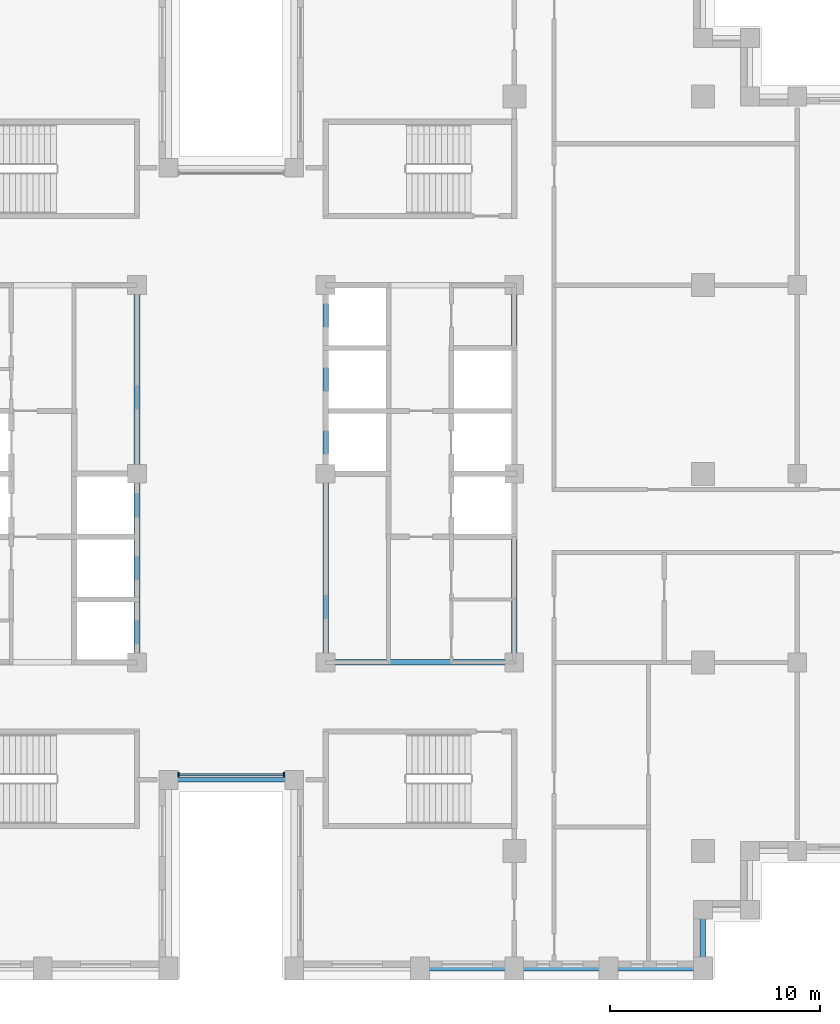
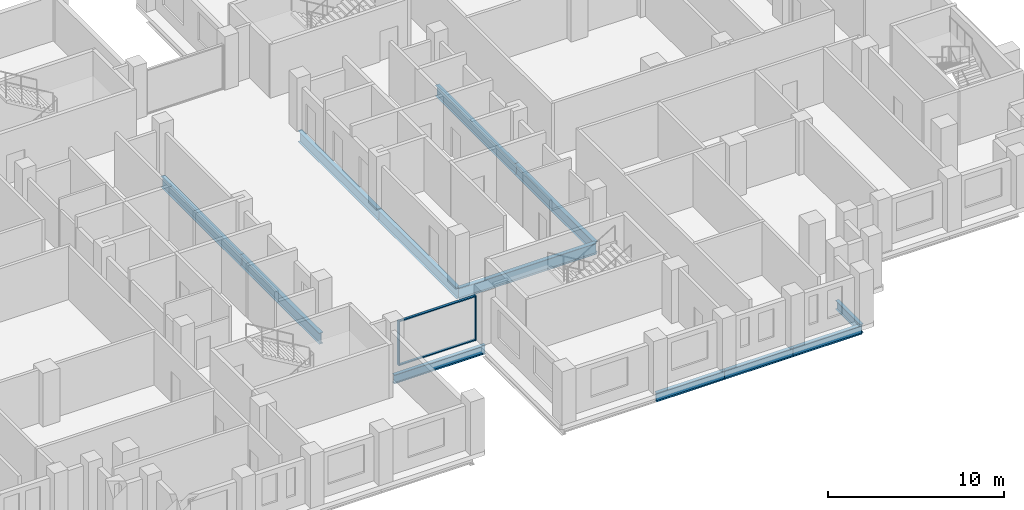
# One storey, part 2 of 15: 12 beams, 4 members, 1 element without a shape of its own.
"""IFC4 building model written with IfcOpenShell, lengths in metres."""

from ifc_helpers import new_model, si_unit, direction, frame, origin, origin_2d, place, context, subcontext, project, spatial, rectangle, i_section, extrude, material, layer, layer_set, material_profile, profile_set, type_object, element, aggregate, save


model = new_model("IFC4")

# Units and contexts
model_context = context("Model", 3, precision=1e-05, world=origin(), true_north=direction((0.0, 1.0)))
body_context = subcontext(model_context, "Body", "Model", "MODEL_VIEW")
ifc_project = project(units=[si_unit("LENGTHUNIT", "METRE"), si_unit("AREAUNIT", "SQUARE_METRE"), si_unit("VOLUMEUNIT", "CUBIC_METRE"), si_unit("PLANEANGLEUNIT", "RADIAN"), si_unit("MASSUNIT", "GRAM", prefix="KILO")], contexts=[model_context])

# Site, building, storey
site_placement = place(None, origin())
site = spatial("IfcSite", under=ifc_project, at=site_placement, CompositionType="ELEMENT")
building_placement = place(site_placement, origin())
building = spatial("IfcBuilding", under=site, at=building_placement, Name="Corbelhall Arena Tower", CompositionType="ELEMENT")
storey_placement = place(building_placement, frame((0.0, 0.0, 146.0)))
storey = spatial("IfcBuildingStorey", under=building, at=storey_placement, Name="L28", CompositionType="ELEMENT", Elevation=146.0)

# Curtain wall, members
ifc_material_1 = material(Name="Aluminium black anodised", Category="aluminium")
ifc_layer = layer(ifc_material_1, 0.199951171875)
ifc_layer_set = layer_set([ifc_layer], Name="EV-CW1 Slot back wall")
curtain_wall_type = type_object("IfcCurtainWallType", Name="EV-CW1 Slot back wall", PredefinedType="NOTDEFINED", material=ifc_layer_set)
curtain_wall_placement = place(storey_placement, origin())
curtain_wall = element("IfcCurtainWall", 1, at=curtain_wall_placement, inside=storey, type_object=curtain_wall_type, Name="Curtain wall CW1", PredefinedType="NOTDEFINED")
ifc_material_profile_1 = material_profile(ifc_material_1, rectangle(XDim=0.199951171875, YDim=0.074951171875, at=origin_2d()))
ifc_profile_set_1 = profile_set([ifc_material_profile_1], Name="Aluminium black anodised")
member_type_1 = type_object("IfcMemberType", Name="EV-CW1-MULLION", PredefinedType="MULLION", material=ifc_profile_set_1)
member_1_placement = place(storey_placement, frame((-2.512451171875, -14.35009765625, 0.0), z_axis=(0.0, 0.0, 1.0), x_axis=(0.0, 1.0, 0.0)))
member_1 = element("IfcMember", 2, at=member_1_placement, type_object=member_type_1, Name="CW1 mullion 1", PredefinedType="MULLION", context=body_context, shape_type="SweptSolid", body=[
    extrude(rectangle(XDim=0.199951171875, YDim=0.074951171875, at=origin_2d()), origin(), (0.0, 0.0, 1.0), 3.10009765625),
])
member_2_placement = place(storey_placement, frame((2.512451171875, -14.35009765625, 0.0), z_axis=(0.0, 0.0, 1.0), x_axis=(0.0, 1.0, 0.0)))
member_2 = element("IfcMember", 3, at=member_2_placement, type_object=member_type_1, Name="CW1 mullion 2", PredefinedType="MULLION", context=body_context, shape_type="SweptSolid", body=[
    extrude(rectangle(XDim=0.199951171875, YDim=0.074951171875, at=origin_2d()), origin(), (0.0, 0.0, 1.0), 3.10009765625),
])
ifc_material_profile_2 = material_profile(ifc_material_1, rectangle(XDim=0.14990234375, YDim=0.074951171875, at=origin_2d()))
ifc_profile_set_2 = profile_set([ifc_material_profile_2], Name="Aluminium black anodised")
member_type_2 = type_object("IfcMemberType", Name="EV-CW1-TRANSOM", PredefinedType="USERDEFINED", material=ifc_profile_set_2)
member_3_placement = place(storey_placement, frame((-2.47509765625, -14.35009765625, 0.03759765625), z_axis=(1.0, 0.0, 0.0), x_axis=(0.0, 1.0, 0.0)))
member_3 = element("IfcMember", 4, at=member_3_placement, type_object=member_type_2, Name="CW1 transom 1.1", ObjectType="transom", PredefinedType="USERDEFINED", context=body_context, shape_type="SweptSolid", body=[
    extrude(rectangle(XDim=0.14990234375, YDim=0.074951171875, at=origin_2d()), origin(), (0.0, 0.0, 1.0), 4.9501953125),
])
member_4_placement = place(storey_placement, frame((-2.47509765625, -14.35009765625, 3.0625), z_axis=(1.0, 0.0, 0.0), x_axis=(0.0, 1.0, 0.0)))
member_4 = element("IfcMember", 5, at=member_4_placement, type_object=member_type_2, Name="CW1 transom 1.2", ObjectType="transom", PredefinedType="USERDEFINED", context=body_context, shape_type="SweptSolid", body=[
    extrude(rectangle(XDim=0.14990234375, YDim=0.074951171875, at=origin_2d()), origin(), (0.0, 0.0, 1.0), 4.9501953125),
])
aggregate(curtain_wall, [member_1, member_2, member_3, member_4])

# Beams
ifc_material_2 = material(Name="Steel ASTM A992 Gr50", Category="steel")
ifc_material_profile_3 = material_profile(ifc_material_2, i_section(OverallWidth=0.2666015625, OverallDepth=0.761962890625, WebThickness=0.014404296875, FlangeThickness=0.021484375, at=origin_2d()))
ifc_profile_set_3 = profile_set([ifc_material_profile_3], Name="Steel ASTM A992 Gr50")
beam_type_1 = type_object("IfcBeamType", Name="ST-BEAM-W30x116", PredefinedType="BEAM", material=ifc_profile_set_3)
for number, where, z_axis, x_axis, name in (
    (6, (-4.5, -9.0, -0.680908203125), (0.0, 1.0, 0.0), (-1.0, 0.0, 0.0), "Beam CEW 3"),
    (7, (-4.5, 0.0, -0.680908203125), (0.0, 1.0, 0.0), (-1.0, 0.0, 0.0), "Beam CEW 4"),
    (8, (4.5, -9.0, -0.680908203125), (0.0, 1.0, 0.0), (-1.0, 0.0, 0.0), "Beam CEE 7"),
    (9, (4.5, 0.0, -0.680908203125), (0.0, 1.0, 0.0), (-1.0, 0.0, 0.0), "Beam CEE 8"),
    (10, (13.5, -9.0, -0.680908203125), (0.0, 1.0, 0.0), (-1.0, 0.0, 0.0), "Beam CEE 9"),
    (11, (13.5, 0.0, -0.680908203125), (0.0, 1.0, 0.0), (-1.0, 0.0, 0.0), "Beam CEE 10"),
    (12, (4.5, -9.0, -0.680908203125), (1.0, 0.0, 0.0), (0.0, 1.0, 0.0), "Beam CEE 11"),
):
    element("IfcBeam", number, at=place(storey_placement, frame(where, z_axis=z_axis, x_axis=x_axis)), inside=storey, type_object=beam_type_1, Name=name, PredefinedType="BEAM", context=body_context, shape_type="SweptSolid", body=[
        extrude(i_section(OverallWidth=0.2666015625, OverallDepth=0.761962890625, WebThickness=0.014404296875, FlangeThickness=0.021484375, at=origin_2d()), origin(), (0.0, 0.0, 1.0), 9.0),
    ])
ifc_material_profile_4 = material_profile(ifc_material_2, i_section(OverallWidth=0.22900390625, OverallDepth=0.612060546875, WebThickness=0.011962890625, FlangeThickness=0.01953125, at=origin_2d()))
ifc_profile_set_4 = profile_set([ifc_material_profile_4], Name="Steel ASTM A992 Gr50")
beam_type_2 = type_object("IfcBeamType", Name="ST-SPANDREL-W24x84", PredefinedType="SPANDREL", material=ifc_profile_set_4)
for number, where, z_axis, x_axis, name in (
    (13, (13.5, -23.60009765625, -0.60595703125), (-1.0, 0.0, 0.0), (0.0, -1.0, 0.0), "Beam SP 29"),
    (14, (18.0, -23.60009765625, -0.60595703125), (-1.0, 0.0, 0.0), (0.0, -1.0, 0.0), "Beam SP 30"),
    (15, (22.5, -23.60009765625, -0.60595703125), (-1.0, 0.0, 0.0), (0.0, -1.0, 0.0), "Beam SP 31"),
):
    element("IfcBeam", number, at=place(storey_placement, frame(where, z_axis=z_axis, x_axis=x_axis)), inside=storey, type_object=beam_type_2, Name=name, PredefinedType="SPANDREL", context=body_context, shape_type="SweptSolid", body=[
        extrude(i_section(OverallWidth=0.22900390625, OverallDepth=0.612060546875, WebThickness=0.011962890625, FlangeThickness=0.01953125, at=origin_2d()), origin(), (0.0, 0.0, 1.0), 4.5),
    ])
beam_1_placement = place(storey_placement, frame((3.0, -14.60009765625, -0.60595703125), z_axis=(-1.0, 0.0, 0.0), x_axis=(0.0, -1.0, 0.0)))
element("IfcBeam", 16, at=beam_1_placement, inside=storey, type_object=beam_type_2, Name="Beam SP 41", PredefinedType="SPANDREL", context=body_context, shape_type="SweptSolid", body=[
    extrude(i_section(OverallWidth=0.22900390625, OverallDepth=0.612060546875, WebThickness=0.011962890625, FlangeThickness=0.01953125, at=origin_2d()), origin(), (0.0, 0.0, 1.0), 6.0),
])
beam_2_placement = place(storey_placement, frame((22.5, -20.800048828125, -0.60595703125), z_axis=(0.0, -1.0, 0.0), x_axis=(1.0, 0.0, 0.0)))
element("IfcBeam", 17, at=beam_2_placement, inside=storey, type_object=beam_type_2, Name="Beam SP 49", PredefinedType="SPANDREL", context=body_context, shape_type="SweptSolid", body=[
    extrude(i_section(OverallWidth=0.22900390625, OverallDepth=0.612060546875, WebThickness=0.011962890625, FlangeThickness=0.01953125, at=origin_2d()), origin(), (0.0, 0.0, 1.0), 2.800048828125),
])

save(model, "model.ifc")
